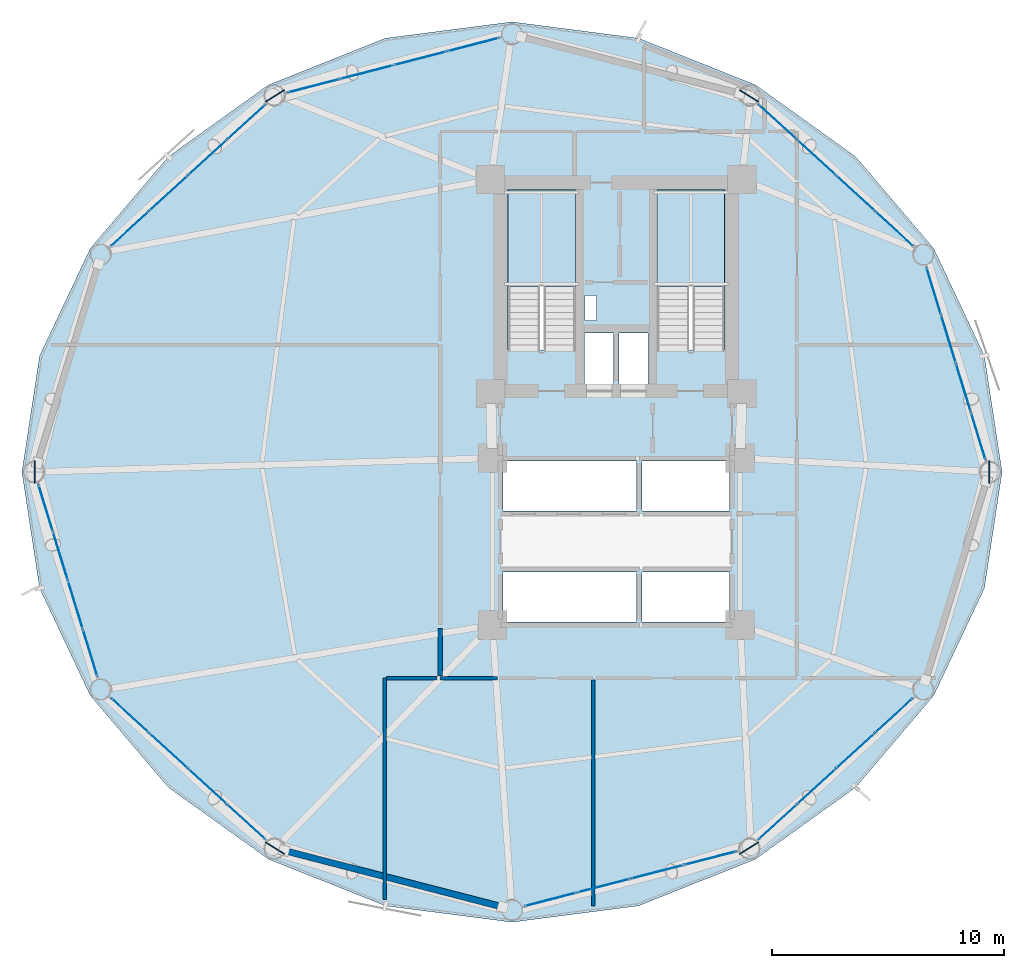
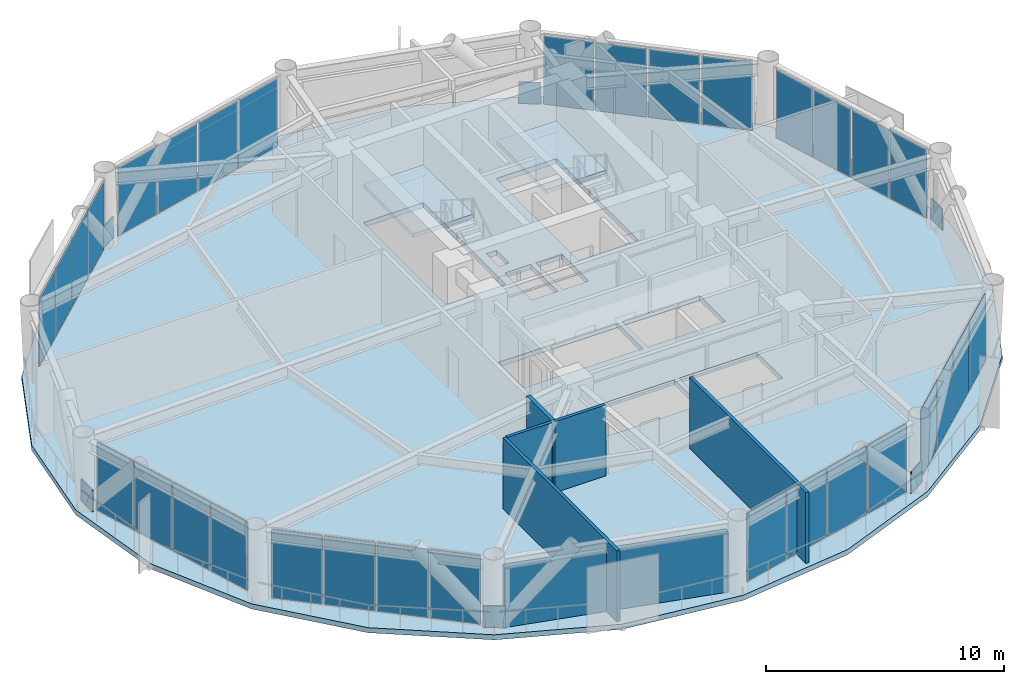
# One storey, part 20 of 25: 38 plates, 6 walls, 3 slabs, 10 elements without a shape of their own.
"""IFC4 building model written with IfcOpenShell, lengths in metres."""

import ifcopenshell
import ifcopenshell.guid

model = None  # the IFC model being written
_history = None  # IfcOwnerHistory: only IFC2X3 demands one
_inside = {}  # id of a spatial element -> (the spatial element, [elements in it])
_under = {}  # id of a project, library or spatial element -> (it, [spatial elements below it])
_declared = {}  # id of a project -> (the project, [libraries it declares])
_typed = {}  # id of a type object -> (the type object, [elements of that type])
_made_of = {}  # id of a material, layer set ... -> (it, [elements and type objects made of it])


def new_model(schema):
    """Start an empty IFC model of exactly this schema.

    Asked for "IFC4X3", IfcOpenShell would pick the latest addendum, in which some entities
    have other attributes; the version numbers below select the first issue.
    IFC2X3 requires an IfcOwnerHistory on every rooted entity: one is made here for all.
    """
    global model, _history
    if schema == "IFC4X3":
        model = ifcopenshell.file(schema_version=(4, 3, 0, 0))
    else:
        model = ifcopenshell.file(schema=schema)
    _inside.clear()
    _under.clear()
    _declared.clear()
    _typed.clear()
    _made_of.clear()
    _history = None
    if model.schema == "IFC2X3":
        org = make("IfcOrganization", Name="unknown")
        user = make(
            "IfcPersonAndOrganization",
            ThePerson=make("IfcPerson", FamilyName="unknown"),
            TheOrganization=org,
        )
        app = make(
            "IfcApplication",
            ApplicationDeveloper=org,
            Version="unknown",
            ApplicationFullName="unknown",
            ApplicationIdentifier="unknown",
        )
        _history = make(
            "IfcOwnerHistory",
            OwningUser=user,
            OwningApplication=app,
            ChangeAction="ADDED",
            CreationDate=0,
        )
    return model


def make(cls, **values):
    """One entity of the class cls with the attributes given. An attribute that is None is left unset."""
    return model.create_entity(
        cls, **{name: value for name, value in values.items() if value is not None}
    )


def rooted(cls, **values):
    """An entity with a GlobalId (a new one), such as an element, a storey or a relation."""
    return make(cls, GlobalId=ifcopenshell.guid.new(), OwnerHistory=_history, **values)


def si_unit(unit_type, name, prefix=None):
    """IfcSIUnit, for example si_unit("LENGTHUNIT", "METRE", prefix="MILLI")."""
    return make("IfcSIUnit", UnitType=unit_type, Prefix=prefix, Name=name)


def assignment(units):
    """IfcUnitAssignment: the units of a project."""
    return None if units is None else make("IfcUnitAssignment", Units=units)


def point(xyz):
    """IfcCartesianPoint."""
    return None if xyz is None else make("IfcCartesianPoint", Coordinates=xyz)


def direction(xyz):
    """IfcDirection."""
    return None if xyz is None else make("IfcDirection", DirectionRatios=xyz)


def frame(location, z_axis=None, x_axis=None):
    """IfcAxis2Placement3D, a coordinate frame: its origin and axes. An axis left out is left unset."""
    return make(
        "IfcAxis2Placement3D",
        Location=point(location),
        Axis=direction(z_axis),
        RefDirection=direction(x_axis),
    )


def frame_2d(location, x_axis=None):
    """IfcAxis2Placement2D, a coordinate frame in the plane: its origin and x axis."""
    return make(
        "IfcAxis2Placement2D", Location=point(location), RefDirection=direction(x_axis)
    )


def origin():
    """The frame at (0, 0, 0) with its axes left unset."""
    return frame((0.0, 0.0, 0.0))


def origin_2d():
    """The frame at (0, 0) in the plane with its x axis left unset."""
    return frame_2d((0.0, 0.0))


def place(relative_to, where):
    """IfcLocalPlacement: puts the frame where relative to a parent placement (None: the world)."""
    return make(
        "IfcLocalPlacement", PlacementRelTo=relative_to, RelativePlacement=where
    )


def context(
    kind, dimensions, precision=None, world=None, true_north=None, identifier=None
):
    """IfcGeometricRepresentationContext, for example the 3D "Model" context."""
    return make(
        "IfcGeometricRepresentationContext",
        ContextIdentifier=identifier,
        ContextType=kind,
        CoordinateSpaceDimension=dimensions,
        Precision=precision,
        WorldCoordinateSystem=world,
        TrueNorth=true_north,
    )


def subcontext(parent, identifier, kind, view, scale=None):
    """IfcGeometricRepresentationSubContext, for example "Body" below "Model"."""
    return make(
        "IfcGeometricRepresentationSubContext",
        ContextIdentifier=identifier,
        ContextType=kind,
        ParentContext=parent,
        TargetScale=scale,
        TargetView=view,
    )


def project(units=None, contexts=None):
    """IfcProject with its units and contexts."""
    return rooted(
        "IfcProject",
        Name="project",
        RepresentationContexts=contexts,
        UnitsInContext=assignment(units),
    )


def spatial(cls, under=None, at=None, **own):
    """A site, building, storey or space (cls), placed at a placement, below another one or the project."""
    s = rooted(cls, ObjectPlacement=at, **own)
    if under is not None:
        _under.setdefault(under.id(), (under, []))[1].append(s)
    return s


def polyline(points):
    """IfcPolyline through the points."""
    return make("IfcPolyline", Points=[point(p) for p in points])


def profile(cls, at=None, kind="AREA", **sizes):
    """A parametric profile (cls). Its sizes go by their IFC names, for example OverallWidth=200.0."""
    return make(cls, ProfileType=kind, Position=at, **sizes)


def rectangle(**sizes):
    """IfcRectangleProfileDef."""
    return profile("IfcRectangleProfileDef", **sizes)


def outline(outer, holes=None, kind="AREA"):
    """IfcArbitraryClosedProfileDef: a profile drawn as a closed curve; with holes, ...WithVoids."""
    if holes is None:
        return make("IfcArbitraryClosedProfileDef", ProfileType=kind, OuterCurve=outer)
    return make(
        "IfcArbitraryProfileDefWithVoids",
        ProfileType=kind,
        OuterCurve=outer,
        InnerCurves=holes,
    )


def extrude(swept, where, along, depth):
    """IfcExtrudedAreaSolid: the profile swept, set in the frame where, extruded along a direction by depth."""
    return make(
        "IfcExtrudedAreaSolid",
        SweptArea=swept,
        Position=where,
        ExtrudedDirection=direction(along),
        Depth=depth,
    )


def shape(context_of_items, identifier, shape_type, items):
    """IfcShapeRepresentation: the items that make up one representation, for example the "Body"."""
    return make(
        "IfcShapeRepresentation",
        ContextOfItems=context_of_items,
        RepresentationIdentifier=identifier,
        RepresentationType=shape_type,
        Items=items,
    )


def source(mapping_origin, context_of_items, identifier, shape_type, items):
    """IfcRepresentationMap: a shape defined once, which mapped items show again and again."""
    return make(
        "IfcRepresentationMap",
        MappingOrigin=mapping_origin,
        MappedRepresentation=shape(context_of_items, identifier, shape_type, items),
    )


def transform(
    local_origin,
    x_axis=None,
    y_axis=None,
    z_axis=None,
    scale=None,
    scale2=None,
    scale3=None,
    uniform=True,
):
    """IfcCartesianTransformationOperator3D, or its non-uniform kind. x_axis, y_axis, z_axis: its Axis1, 2, 3."""
    if uniform:
        return make(
            "IfcCartesianTransformationOperator3D",
            Axis1=direction(x_axis),
            Axis2=direction(y_axis),
            LocalOrigin=point(local_origin),
            Scale=scale,
            Axis3=direction(z_axis),
        )
    return make(
        "IfcCartesianTransformationOperator3DnonUniform",
        Axis1=direction(x_axis),
        Axis2=direction(y_axis),
        LocalOrigin=point(local_origin),
        Scale=scale,
        Axis3=direction(z_axis),
        Scale2=scale2,
        Scale3=scale3,
    )


def mapped(mapping_source, mapping_target):
    """IfcMappedItem: shows the shape of a source again, moved by a transform."""
    return make(
        "IfcMappedItem", MappingSource=mapping_source, MappingTarget=mapping_target
    )


def material(Name=None, Category=None):
    """IfcMaterial."""
    return make("IfcMaterial", Name=Name, Category=Category)


def layer(
    of_material, thickness, ventilated=None, Name=None, Category=None, Priority=None
):
    """IfcMaterialLayer: one layer of a wall or slab, of a material (None: an air gap)."""
    return make(
        "IfcMaterialLayer",
        Material=of_material,
        LayerThickness=thickness,
        IsVentilated=ventilated,
        Name=Name,
        Category=Category,
        Priority=Priority,
    )


def layer_set(layers, Name=None):
    """IfcMaterialLayerSet."""
    return make("IfcMaterialLayerSet", MaterialLayers=layers, LayerSetName=Name)


def made_of(thing, what):
    """Note that an element or type object is made of a material, layer set ...; save() writes the relation."""
    if what is not None:
        _made_of.setdefault(what.id(), (what, []))[1].append(thing)
    return thing


def type_object(cls, material=None, **own):
    """A type object (cls), such as IfcWallType, which elements share."""
    return made_of(rooted(cls, **own), material)


def type_shapes(of_type, sources):
    """Give a type object the sources (RepresentationMaps) that its elements show as mapped items."""
    of_type.RepresentationMaps = sources


def element(
    cls,
    number,
    at=None,
    inside=None,
    cuts=None,
    type_object=None,
    material=None,
    context=None,
    identifier="Body",
    shape_type=None,
    held_by="IfcProductDefinitionShape",
    body=None,
    shapes=None,
    **own,
):
    """One element of the class cls, such as IfcWall. Its Tag is "e" and its number.

    at: its placement. inside: the storey or other place that contains it. cuts: it is an
    opening in that element (IfcRelVoidsElement). A single representation is given by context,
    identifier, shape_type and body (its items); several are given by shapes. held_by: the class
    of the entity that holds the representations. save() writes the other relations.
    """
    e = rooted(cls, Tag="e%d" % number, ObjectPlacement=at, **own)
    if body is not None:
        shapes = [shape(context, identifier, shape_type, body)]
    if shapes is not None:
        e.Representation = make(held_by, Representations=shapes)
    if inside is not None:
        _inside.setdefault(inside.id(), (inside, []))[1].append(e)
    if cuts is not None:
        rooted(
            "IfcRelVoidsElement", RelatingBuildingElement=cuts, RelatedOpeningElement=e
        )
    if type_object is not None:
        _typed.setdefault(type_object.id(), (type_object, []))[1].append(e)
    return made_of(e, material)


def aggregate(whole, parts):
    """IfcRelAggregates: a whole, such as a stair, and the parts it consists of."""
    return rooted("IfcRelAggregates", RelatingObject=whole, RelatedObjects=parts)


def save(model, path):
    """Write the relations noted so far, then the file.

    IfcRelAggregates (storeys below a building ...), IfcRelContainedInSpatialStructure (elements
    in a storey), IfcRelDefinesByType, IfcRelAssociatesMaterial and IfcRelDeclares: one each for
    every whole, place, type object, material and project.
    """
    for whole, parts in _under.values():
        aggregate(whole, parts)
    for where, things in _inside.values():
        rooted(
            "IfcRelContainedInSpatialStructure",
            RelatedElements=things,
            RelatingStructure=where,
        )
    for kind, things in _typed.values():
        rooted("IfcRelDefinesByType", RelatedObjects=things, RelatingType=kind)
    for what, things in _made_of.values():
        rooted("IfcRelAssociatesMaterial", RelatedObjects=things, RelatingMaterial=what)
    for by, libraries in _declared.values():
        rooted("IfcRelDeclares", RelatingContext=by, RelatedDefinitions=libraries)
    model.write(path)


model = new_model("IFC4")

# Units and contexts
model_context = context("Model", 3, precision=1e-05, world=origin(), true_north=direction((0.0, 1.0)))
body_context = subcontext(model_context, "Body", "Model", "MODEL_VIEW")
ifc_project = project(units=[si_unit("LENGTHUNIT", "METRE"), si_unit("AREAUNIT", "SQUARE_METRE"), si_unit("VOLUMEUNIT", "CUBIC_METRE"), si_unit("PLANEANGLEUNIT", "RADIAN"), si_unit("MASSUNIT", "GRAM", prefix="KILO")], contexts=[model_context])

# Site, building, storey
site_placement = place(None, origin())
site = spatial("IfcSite", under=ifc_project, at=site_placement, CompositionType="ELEMENT")
building_placement = place(site_placement, origin())
building = spatial("IfcBuilding", under=site, at=building_placement, Name="Varnakorn Sky Granary", CompositionType="ELEMENT")
storey_placement = place(building_placement, frame((0.0, 0.0, 39.300048828125)))
storey = spatial("IfcBuildingStorey", under=building, at=storey_placement, Name="L09", CompositionType="ELEMENT", Elevation=39.300048828125)

# Plates
ifc_material_1 = material(Name="Steel S460M", Category="steel")
ifc_layer_1 = layer(ifc_material_1, 0.044921875, Name="Steel S460M")
ifc_layer_set_1 = layer_set([ifc_layer_1], Name="Steel S460M")
plate_type_1 = type_object("IfcPlateType", Name="PL-NODE-KN1", PredefinedType="SHEET", material=ifc_layer_set_1)
for number, where, z_axis, x_axis, name in (
    (1, (19.10595703125, 0.0, 0.0), (0.0, 0.0, 1.0), (0.0, 1.0, 0.0), "Diagrid Node Gusset Assembly KN1 L09-1"),
    (2, (8.735595703125, 16.236083984375, 0.0), (0.0, 0.0, 1.0), (-0.845934186854, 0.533287306723, 0.0), "Diagrid Node Gusset Assembly KN1 L09-3"),
    (3, (-11.735595703125, 16.236083984375, 0.0), (0.0, 0.0, 1.0), (-0.845934186854, -0.533287306723, 0.0), "Diagrid Node Gusset Assembly KN1 L09-5"),
    (4, (-22.10595703125, 0.0, 0.0), (0.0, 0.0, 1.0), (0.0, -1.0, 0.0), "Diagrid Node Gusset Assembly KN1 L09-7"),
    (5, (-11.735595703125, -16.236083984375, 0.0), (0.0, 0.0, 1.0), (0.845934186854, -0.533287306723, 0.0), "Diagrid Node Gusset Assembly KN1 L09-9"),
    (6, (8.735595703125, -16.236083984375, 0.0), (0.0, 0.0, 1.0), (0.845934186854, 0.533287306723, 0.0), "Diagrid Node Gusset Assembly KN1 L09-11"),
):
    element("IfcPlate", number, at=place(storey_placement, frame(where, z_axis=z_axis, x_axis=x_axis)), inside=storey, type_object=plate_type_1, Name=name, PredefinedType="SHEET", context=body_context, shape_type="SweptSolid", body=[
        extrude(rectangle(XDim=0.9599609375, YDim=0.044921875, at=origin_2d()), origin(), (0.0, 0.0, 1.0), 1.10009765625),
    ])

# Stair, slab
ifc_material_2 = material(Name="Concrete C40/50", Category="concrete")
stair_type = type_object("IfcStairType", Name="ST-MAIN-ASSEMBLY", PredefinedType="HALF_TURN_STAIR", material=ifc_material_2)
stair_1_placement = place(storey_placement, origin())
stair_1 = element("IfcStair", 7, at=stair_1_placement, inside=storey, type_object=stair_type, Name="L09 Protected Exit Stair ST-1", PredefinedType="HALF_TURN_STAIR")
ifc_layer_2 = layer(ifc_material_2, 0.199951171875, Name="Concrete C40/50")
ifc_layer_set_2 = layer_set([ifc_layer_2], Name="Concrete C40/50")
slab_type_1 = type_object("IfcSlabType", Name="ST-MAIN-LAND", PredefinedType="LANDING", material=ifc_layer_set_2)
slab_1_placement = place(storey_placement, frame((0.0, 0.0, 1.75)))
slab_1 = element("IfcSlab", 8, at=slab_1_placement, type_object=slab_type_1, Name="ST-1 landing 1", PredefinedType="LANDING", context=body_context, shape_type="SweptSolid", body=[
    extrude(outline(polyline([(1.239990234375, 8.0), (1.239990234375, 12.179931640625), (-1.669921875, 12.179931640625), (-1.669921875, 8.0), (1.239990234375, 8.0)])), origin(), (0.0, 0.0, 1.0), 0.199951171875),
])
aggregate(stair_1, [slab_1])

stair_2_placement = place(storey_placement, origin())
stair_2 = element("IfcStair", 9, at=stair_2_placement, inside=storey, type_object=stair_type, Name="L09 Protected Exit Stair ST-2", PredefinedType="HALF_TURN_STAIR")
slab_2_placement = place(storey_placement, frame((0.0, 0.0, 1.75)))
slab_2 = element("IfcSlab", 10, at=slab_2_placement, type_object=slab_type_1, Name="ST-2 landing 1", PredefinedType="LANDING", context=body_context, shape_type="SweptSolid", body=[
    extrude(outline(polyline([(7.679931640625, 8.0), (7.679931640625, 12.179931640625), (4.77001953125, 12.179931640625), (4.77001953125, 8.0), (7.679931640625, 8.0)])), origin(), (0.0, 0.0, 1.0), 0.199951171875),
])
aggregate(stair_2, [slab_2])

# Slab
ifc_material_3 = material(Name="Concrete C50/60", Category="concrete")
ifc_layer_3 = layer(ifc_material_3, 0.260009765625, Name="Concrete C50/60")
ifc_layer_set_3 = layer_set([ifc_layer_3], Name="Concrete C50/60")
slab_type_2 = type_object("IfcSlabType", Name="ST-SL-TWR-260", PredefinedType="FLOOR", material=ifc_layer_set_3)
slab_3_placement = place(storey_placement, frame((0.0, 0.0, -0.260009765625)))
element("IfcSlab", 11, at=slab_3_placement, inside=storey, type_object=slab_type_2, Name="Level L09 Structural Floor Slab", PredefinedType="FLOOR", context=body_context, shape_type="SweptSolid", body=[
    extrude(outline(polyline([(19.656005859375, 0.0), (18.8916015625, 5.01806640625), (16.70458984375, 9.64892578125), (13.332275390625, 13.614013671875), (9.010498046875, 16.712646484375), (3.9638671875, 18.727294921875), (-1.5, 19.43310546875), (-6.9638671875, 18.727294921875), (-12.010498046875, 16.712646484375), (-16.332275390625, 13.614013671875), (-19.70458984375, 9.64892578125), (-21.8916015625, 5.01806640625), (-22.656005859375, 0.0), (-21.8916015625, -5.01806640625), (-19.70458984375, -9.64892578125), (-16.332275390625, -13.614013671875), (-12.010498046875, -16.712646484375), (-6.9638671875, -18.727294921875), (-1.5, -19.43310546875), (3.9638671875, -18.727294921875), (9.010498046875, -16.712646484375), (13.332275390625, -13.614013671875), (16.70458984375, -9.64892578125), (18.8916015625, -5.01806640625), (19.656005859375, 0.0)]), holes=[polyline([(1.239990234375, 5.27490234375), (1.239990234375, 12.179931640625), (-1.669921875, 12.179931640625), (-1.669921875, 5.27490234375), (1.239990234375, 5.27490234375)]), polyline([(7.679931640625, 5.27490234375), (7.679931640625, 12.179931640625), (4.77001953125, 12.179931640625), (4.77001953125, 5.27490234375), (7.679931640625, 5.27490234375)]), polyline([(1.659912109375, 6.550048828125), (2.14990234375, 6.550048828125), (2.14990234375, 7.6201171875), (1.659912109375, 7.6201171875), (1.659912109375, 6.550048828125)]), polyline([(1.6201171875, 3.739990234375), (2.8798828125, 3.739990234375), (2.8798828125, 6.010009765625), (1.6201171875, 6.010009765625), (1.6201171875, 3.739990234375)]), polyline([(3.1201171875, 3.739990234375), (4.3798828125, 3.739990234375), (4.3798828125, 6.010009765625), (3.1201171875, 6.010009765625), (3.1201171875, 3.739990234375)]), polyline([(-1.8798828125, -1.679931640625), (3.8798828125, -1.679931640625), (3.8798828125, 0.47998046875), (-1.8798828125, 0.47998046875), (-1.8798828125, -1.679931640625)]), polyline([(4.1201171875, -1.679931640625), (7.8798828125, -1.679931640625), (7.8798828125, 0.47998046875), (4.1201171875, 0.47998046875), (4.1201171875, -1.679931640625)]), polyline([(-1.8798828125, -6.47998046875), (3.8798828125, -6.47998046875), (3.8798828125, -4.320068359375), (-1.8798828125, -4.320068359375), (-1.8798828125, -6.47998046875)]), polyline([(4.1201171875, -6.47998046875), (7.8798828125, -6.47998046875), (7.8798828125, -4.320068359375), (4.1201171875, -4.320068359375), (4.1201171875, -6.47998046875)])]), origin(), (0.0, 0.0, 1.0), 0.260009765625),
])

# Curtain wall, plates
ifc_material_4 = material(Name="Anodised Bronze Aluminium Alloy 6063-T6", Category="aluminium")
ifc_layer_4 = layer(ifc_material_4, 0.18994140625, Name="Anodised Bronze Aluminium Alloy 6063-T6")
ifc_layer_set_4 = layer_set([ifc_layer_4], Name="Anodised Bronze Aluminium Alloy 6063-T6")
curtain_wall_type = type_object("IfcCurtainWallType", Name="CW-FRM-1", PredefinedType="USERDEFINED", material=ifc_layer_set_4)
curtain_wall_1_placement = place(storey_placement, origin())
curtain_wall_1 = element("IfcCurtainWall", 12, at=curtain_wall_1_placement, inside=storey, type_object=curtain_wall_type, Name="Unitised Curtain Wall CW3 CW-L09-B01", ObjectType="CURTAIN WALL", PredefinedType="USERDEFINED")
ifc_material_5 = material(Name="Low-E Tinted Laminated Glass", Category="glass")
ifc_layer_5 = layer(ifc_material_5, 0.028076171875, Name="Low-E Tinted Laminated Glass")
ifc_layer_set_5 = layer_set([ifc_layer_5], Name="Low-E Tinted Laminated Glass")
plate_type_2 = type_object("IfcPlateType", Name="CW-FRM-1-PNL", PredefinedType="CURTAIN_PANEL")
shared_shape_1 = source(origin(), body_context, "Body", "SweptSolid", [
    extrude(rectangle(XDim=2.087890625, YDim=0.028076171875, at=origin_2d()), origin(), (0.0, 0.0, 1.0), 3.5),
])
plate_1_placement = place(storey_placement, frame((16.70703125, 7.81494140625, 0.070068359375), z_axis=(0.0, 0.0, 1.0), x_axis=(0.293462537291, -0.955970574446, 0.0)))
plate_1 = element("IfcPlate", 13, at=plate_1_placement, type_object=plate_type_2, material=ifc_layer_set_5, Name="CW3 vision glazing unit 1.1", PredefinedType="CURTAIN_PANEL", context=body_context, shape_type="MappedRepresentation", body=[
    mapped(shared_shape_1, transform((0.0, 0.0, 0.0), x_axis=(1.0, 0.0, 0.0), y_axis=(0.0, 1.0, 0.0), z_axis=(0.0, 0.0, 1.0), scale=1.0)),
])
ifc_material_6 = material(Name="Opaque Insulated Aluminium Shadow-Box Unit", Category="aluminium")
ifc_layer_6 = layer(ifc_material_6, 0.028076171875, Name="Opaque Insulated Aluminium Shadow-Box Unit")
ifc_layer_set_6 = layer_set([ifc_layer_6], Name="Opaque Insulated Aluminium Shadow-Box Unit")
plate_2_placement = place(storey_placement, frame((18.62744140625, 1.55908203125, 0.070068359375), z_axis=(0.0, 0.0, 1.0), x_axis=(0.293462537291, -0.955970574446, 0.0)))
plate_2 = element("IfcPlate", 14, at=plate_2_placement, type_object=plate_type_2, material=ifc_layer_set_6, Name="CW3 opaque insulated shadow-box unit 4.1", PredefinedType="CURTAIN_PANEL", context=body_context, shape_type="MappedRepresentation", body=[
    mapped(shared_shape_1, transform((0.0, 0.0, 0.0), x_axis=(1.0, 0.0, 0.0), y_axis=(0.0, 1.0, 0.0), z_axis=(0.0, 0.0, 1.0), scale=1.0)),
])

curtain_wall_2_placement = place(storey_placement, origin())
curtain_wall_2 = element("IfcCurtainWall", 15, at=curtain_wall_2_placement, inside=storey, type_object=curtain_wall_type, Name="Unitised Curtain Wall CW3 CW-L09-B07", ObjectType="CURTAIN WALL", PredefinedType="USERDEFINED")
plate_3_placement = place(storey_placement, frame((-19.70703125, -7.81494140625, 0.070068359375), z_axis=(0.0, 0.0, 1.0), x_axis=(-0.293462537291, 0.955970574446, 0.0)))
plate_3 = element("IfcPlate", 16, at=plate_3_placement, type_object=plate_type_2, material=ifc_layer_set_5, Name="CW3 vision glazing unit 1.1", PredefinedType="CURTAIN_PANEL", context=body_context, shape_type="MappedRepresentation", body=[
    mapped(shared_shape_1, transform((0.0, 0.0, 0.0), x_axis=(1.0, 0.0, 0.0), y_axis=(0.0, 1.0, 0.0), z_axis=(0.0, 0.0, 1.0), scale=1.0)),
])
plate_4_placement = place(storey_placement, frame((-21.62744140625, -1.55908203125, 0.070068359375), z_axis=(0.0, 0.0, 1.0), x_axis=(-0.293462537291, 0.955970574446, 0.0)))
plate_4 = element("IfcPlate", 17, at=plate_4_placement, type_object=plate_type_2, material=ifc_layer_set_6, Name="CW3 opaque insulated shadow-box unit 4.1", PredefinedType="CURTAIN_PANEL", context=body_context, shape_type="MappedRepresentation", body=[
    mapped(shared_shape_1, transform((0.0, 0.0, 0.0), x_axis=(1.0, 0.0, 0.0), y_axis=(0.0, 1.0, 0.0), z_axis=(0.0, 0.0, 1.0), scale=1.0)),
])

# Plate
shared_shape_2 = source(origin(), body_context, "Body", "SweptSolid", [
    extrude(rectangle(XDim=2.123046875, YDim=0.028076171875, at=origin_2d()), origin(), (0.0, 0.0, 1.0), 3.5),
])
plate_5_placement = place(storey_placement, frame((17.345458984375, 5.735107421875, 0.070068359375), z_axis=(0.0, 0.0, 1.0), x_axis=(0.293462537291, -0.955970574446, 0.0)))
plate_5 = element("IfcPlate", 18, at=plate_5_placement, type_object=plate_type_2, material=ifc_layer_set_5, Name="CW3 vision glazing unit 2.1", PredefinedType="CURTAIN_PANEL", context=body_context, shape_type="MappedRepresentation", body=[
    mapped(shared_shape_2, transform((0.0, 0.0, 0.0), x_axis=(1.0, 0.0, 0.0), y_axis=(0.0, 1.0, 0.0), z_axis=(0.0, 0.0, 1.0), scale=1.0)),
])

plate_6_placement = place(storey_placement, frame((17.989013671875, 3.638916015625, 0.070068359375), z_axis=(0.0, 0.0, 1.0), x_axis=(0.293462537291, -0.955970574446, 0.0)))
plate_6 = element("IfcPlate", 19, at=plate_6_placement, type_object=plate_type_2, material=ifc_layer_set_6, Name="CW3 opaque insulated shadow-box unit 3.1", PredefinedType="CURTAIN_PANEL", context=body_context, shape_type="MappedRepresentation", body=[
    mapped(shared_shape_2, transform((0.0, 0.0, 0.0), x_axis=(1.0, 0.0, 0.0), y_axis=(0.0, 1.0, 0.0), z_axis=(0.0, 0.0, 1.0), scale=1.0)),
])

aggregate(curtain_wall_1, [plate_1, plate_5, plate_6, plate_2])

plate_7_placement = place(storey_placement, frame((-20.345458984375, -5.735107421875, 0.070068359375), z_axis=(0.0, 0.0, 1.0), x_axis=(-0.293462537291, 0.955970574446, 0.0)))
plate_7 = element("IfcPlate", 20, at=plate_7_placement, type_object=plate_type_2, material=ifc_layer_set_5, Name="CW3 vision glazing unit 2.1", PredefinedType="CURTAIN_PANEL", context=body_context, shape_type="MappedRepresentation", body=[
    mapped(shared_shape_2, transform((0.0, 0.0, 0.0), x_axis=(1.0, 0.0, 0.0), y_axis=(0.0, 1.0, 0.0), z_axis=(0.0, 0.0, 1.0), scale=1.0)),
])

plate_8_placement = place(storey_placement, frame((-20.989013671875, -3.638916015625, 0.070068359375), z_axis=(0.0, 0.0, 1.0), x_axis=(-0.293462537291, 0.955970574446, 0.0)))
plate_8 = element("IfcPlate", 21, at=plate_8_placement, type_object=plate_type_2, material=ifc_layer_set_6, Name="CW3 opaque insulated shadow-box unit 3.1", PredefinedType="CURTAIN_PANEL", context=body_context, shape_type="MappedRepresentation", body=[
    mapped(shared_shape_2, transform((0.0, 0.0, 0.0), x_axis=(1.0, 0.0, 0.0), y_axis=(0.0, 1.0, 0.0), z_axis=(0.0, 0.0, 1.0), scale=1.0)),
])

aggregate(curtain_wall_2, [plate_3, plate_7, plate_8, plate_4])

# Curtain wall, plates
curtain_wall_3_placement = place(storey_placement, origin())
curtain_wall_3 = element("IfcCurtainWall", 22, at=curtain_wall_3_placement, inside=storey, type_object=curtain_wall_type, Name="Unitised Curtain Wall CW3 CW-L09-B02", ObjectType="CURTAIN WALL", PredefinedType="USERDEFINED")
shared_shape_3 = source(origin(), body_context, "Body", "SweptSolid", [
    extrude(rectangle(XDim=2.176513671875, YDim=0.028076171875, at=origin_2d()), origin(), (0.0, 0.0, 1.0), 3.5),
])
plate_9_placement = place(storey_placement, frame((9.970947265625, 15.104736328125, 0.070068359375), z_axis=(0.0, 0.0, 1.0), x_axis=(0.73746198565, -0.675388643465, 0.0)))
plate_9 = element("IfcPlate", 23, at=plate_9_placement, type_object=plate_type_2, material=ifc_layer_set_6, Name="CW3 opaque insulated shadow-box unit 1.1", PredefinedType="CURTAIN_PANEL", context=body_context, shape_type="MappedRepresentation", body=[
    mapped(shared_shape_3, transform((0.0, 0.0, 0.0), x_axis=(1.0, 0.0, 0.0), y_axis=(0.0, 1.0, 0.0), z_axis=(0.0, 0.0, 1.0), scale=1.0)),
])
plate_10_placement = place(storey_placement, frame((14.992919921875, 10.505615234375, 0.070068359375), z_axis=(0.0, 0.0, 1.0), x_axis=(0.73746198565, -0.675388643465, 0.0)))
plate_10 = element("IfcPlate", 24, at=plate_10_placement, type_object=plate_type_2, material=ifc_layer_set_5, Name="CW3 vision glazing unit 4.1", PredefinedType="CURTAIN_PANEL", context=body_context, shape_type="MappedRepresentation", body=[
    mapped(shared_shape_3, transform((0.0, 0.0, 0.0), x_axis=(1.0, 0.0, 0.0), y_axis=(0.0, 1.0, 0.0), z_axis=(0.0, 0.0, 1.0), scale=1.0)),
])

curtain_wall_4_placement = place(storey_placement, origin())
curtain_wall_4 = element("IfcCurtainWall", 25, at=curtain_wall_4_placement, inside=storey, type_object=curtain_wall_type, Name="Unitised Curtain Wall CW3 CW-L09-B05", ObjectType="CURTAIN WALL", PredefinedType="USERDEFINED")
plate_11_placement = place(storey_placement, frame((-17.992919921875, 10.505615234375, 0.070068359375), z_axis=(0.0, 0.0, 1.0), x_axis=(0.73746198565, 0.675388643465, 0.0)))
plate_11 = element("IfcPlate", 26, at=plate_11_placement, type_object=plate_type_2, material=ifc_layer_set_5, Name="CW3 vision glazing unit 1.1", PredefinedType="CURTAIN_PANEL", context=body_context, shape_type="MappedRepresentation", body=[
    mapped(shared_shape_3, transform((0.0, 0.0, 0.0), x_axis=(1.0, 0.0, 0.0), y_axis=(0.0, 1.0, 0.0), z_axis=(0.0, 0.0, 1.0), scale=1.0)),
])
plate_12_placement = place(storey_placement, frame((-12.970947265625, 15.104736328125, 0.070068359375), z_axis=(0.0, 0.0, 1.0), x_axis=(0.73746198565, 0.675388643465, 0.0)))
plate_12 = element("IfcPlate", 27, at=plate_12_placement, type_object=plate_type_2, material=ifc_layer_set_6, Name="CW3 opaque insulated shadow-box unit 4.1", PredefinedType="CURTAIN_PANEL", context=body_context, shape_type="MappedRepresentation", body=[
    mapped(shared_shape_3, transform((0.0, 0.0, 0.0), x_axis=(1.0, 0.0, 0.0), y_axis=(0.0, 1.0, 0.0), z_axis=(0.0, 0.0, 1.0), scale=1.0)),
])

curtain_wall_5_placement = place(storey_placement, origin())
curtain_wall_5 = element("IfcCurtainWall", 28, at=curtain_wall_5_placement, inside=storey, type_object=curtain_wall_type, Name="Unitised Curtain Wall CW3 CW-L09-B08", ObjectType="CURTAIN WALL", PredefinedType="USERDEFINED")
plate_13_placement = place(storey_placement, frame((-12.970947265625, -15.104736328125, 0.070068359375), z_axis=(0.0, 0.0, 1.0), x_axis=(-0.73746198565, 0.675388643465, 0.0)))
plate_13 = element("IfcPlate", 29, at=plate_13_placement, type_object=plate_type_2, material=ifc_layer_set_6, Name="CW3 opaque insulated shadow-box unit 1.1", PredefinedType="CURTAIN_PANEL", context=body_context, shape_type="MappedRepresentation", body=[
    mapped(shared_shape_3, transform((0.0, 0.0, 0.0), x_axis=(1.0, 0.0, 0.0), y_axis=(0.0, 1.0, 0.0), z_axis=(0.0, 0.0, 1.0), scale=1.0)),
])
plate_14_placement = place(storey_placement, frame((-17.992919921875, -10.505615234375, 0.070068359375), z_axis=(0.0, 0.0, 1.0), x_axis=(-0.73746198565, 0.675388643465, 0.0)))
plate_14 = element("IfcPlate", 30, at=plate_14_placement, type_object=plate_type_2, material=ifc_layer_set_5, Name="CW3 vision glazing unit 4.1", PredefinedType="CURTAIN_PANEL", context=body_context, shape_type="MappedRepresentation", body=[
    mapped(shared_shape_3, transform((0.0, 0.0, 0.0), x_axis=(1.0, 0.0, 0.0), y_axis=(0.0, 1.0, 0.0), z_axis=(0.0, 0.0, 1.0), scale=1.0)),
])

curtain_wall_6_placement = place(storey_placement, origin())
curtain_wall_6 = element("IfcCurtainWall", 31, at=curtain_wall_6_placement, inside=storey, type_object=curtain_wall_type, Name="Unitised Curtain Wall CW3 CW-L09-B11", ObjectType="CURTAIN WALL", PredefinedType="USERDEFINED")
plate_15_placement = place(storey_placement, frame((14.992919921875, -10.505615234375, 0.070068359375), z_axis=(0.0, 0.0, 1.0), x_axis=(-0.73746198565, -0.675388643465, 0.0)))
plate_15 = element("IfcPlate", 32, at=plate_15_placement, type_object=plate_type_2, material=ifc_layer_set_5, Name="CW3 vision glazing unit 1.1", PredefinedType="CURTAIN_PANEL", context=body_context, shape_type="MappedRepresentation", body=[
    mapped(shared_shape_3, transform((0.0, 0.0, 0.0), x_axis=(1.0, 0.0, 0.0), y_axis=(0.0, 1.0, 0.0), z_axis=(0.0, 0.0, 1.0), scale=1.0)),
])
plate_16_placement = place(storey_placement, frame((9.970947265625, -15.104736328125, 0.070068359375), z_axis=(0.0, 0.0, 1.0), x_axis=(-0.73746198565, -0.675388643465, 0.0)))
plate_16 = element("IfcPlate", 33, at=plate_16_placement, type_object=plate_type_2, material=ifc_layer_set_6, Name="CW3 opaque insulated shadow-box unit 4.1", PredefinedType="CURTAIN_PANEL", context=body_context, shape_type="MappedRepresentation", body=[
    mapped(shared_shape_3, transform((0.0, 0.0, 0.0), x_axis=(1.0, 0.0, 0.0), y_axis=(0.0, 1.0, 0.0), z_axis=(0.0, 0.0, 1.0), scale=1.0)),
])

# Plate
shared_shape_4 = source(origin(), body_context, "Body", "SweptSolid", [
    extrude(rectangle(XDim=2.211669921875, YDim=0.028076171875, at=origin_2d()), origin(), (0.0, 0.0, 1.0), 3.5),
])
plate_17_placement = place(storey_placement, frame((11.640625, 13.57568359375, 0.070068359375), z_axis=(0.0, 0.0, 1.0), x_axis=(0.73746198565, -0.675388643465, 0.0)))
plate_17 = element("IfcPlate", 34, at=plate_17_placement, type_object=plate_type_2, material=ifc_layer_set_6, Name="CW3 opaque insulated shadow-box unit 2.1", PredefinedType="CURTAIN_PANEL", context=body_context, shape_type="MappedRepresentation", body=[
    mapped(shared_shape_4, transform((0.0, 0.0, 0.0), x_axis=(1.0, 0.0, 0.0), y_axis=(0.0, 1.0, 0.0), z_axis=(0.0, 0.0, 1.0), scale=1.0)),
])

plate_18_placement = place(storey_placement, frame((13.3232421875, 12.03466796875, 0.070068359375), z_axis=(0.0, 0.0, 1.0), x_axis=(0.73746198565, -0.675388643465, 0.0)))
plate_18 = element("IfcPlate", 35, at=plate_18_placement, type_object=plate_type_2, material=ifc_layer_set_5, Name="CW3 vision glazing unit 3.1", PredefinedType="CURTAIN_PANEL", context=body_context, shape_type="MappedRepresentation", body=[
    mapped(shared_shape_4, transform((0.0, 0.0, 0.0), x_axis=(1.0, 0.0, 0.0), y_axis=(0.0, 1.0, 0.0), z_axis=(0.0, 0.0, 1.0), scale=1.0)),
])

aggregate(curtain_wall_3, [plate_9, plate_17, plate_18, plate_10])

plate_19_placement = place(storey_placement, frame((-16.3232421875, 12.03466796875, 0.070068359375), z_axis=(0.0, 0.0, 1.0), x_axis=(0.73746198565, 0.675388643465, 0.0)))
plate_19 = element("IfcPlate", 36, at=plate_19_placement, type_object=plate_type_2, material=ifc_layer_set_5, Name="CW3 vision glazing unit 2.1", PredefinedType="CURTAIN_PANEL", context=body_context, shape_type="MappedRepresentation", body=[
    mapped(shared_shape_4, transform((0.0, 0.0, 0.0), x_axis=(1.0, 0.0, 0.0), y_axis=(0.0, 1.0, 0.0), z_axis=(0.0, 0.0, 1.0), scale=1.0)),
])

plate_20_placement = place(storey_placement, frame((-14.640625, 13.57568359375, 0.070068359375), z_axis=(0.0, 0.0, 1.0), x_axis=(0.73746198565, 0.675388643465, 0.0)))
plate_20 = element("IfcPlate", 37, at=plate_20_placement, type_object=plate_type_2, material=ifc_layer_set_6, Name="CW3 opaque insulated shadow-box unit 3.1", PredefinedType="CURTAIN_PANEL", context=body_context, shape_type="MappedRepresentation", body=[
    mapped(shared_shape_4, transform((0.0, 0.0, 0.0), x_axis=(1.0, 0.0, 0.0), y_axis=(0.0, 1.0, 0.0), z_axis=(0.0, 0.0, 1.0), scale=1.0)),
])

aggregate(curtain_wall_4, [plate_11, plate_19, plate_20, plate_12])

plate_21_placement = place(storey_placement, frame((-14.640625, -13.57568359375, 0.070068359375), z_axis=(0.0, 0.0, 1.0), x_axis=(-0.73746198565, 0.675388643465, 0.0)))
plate_21 = element("IfcPlate", 38, at=plate_21_placement, type_object=plate_type_2, material=ifc_layer_set_6, Name="CW3 opaque insulated shadow-box unit 2.1", PredefinedType="CURTAIN_PANEL", context=body_context, shape_type="MappedRepresentation", body=[
    mapped(shared_shape_4, transform((0.0, 0.0, 0.0), x_axis=(1.0, 0.0, 0.0), y_axis=(0.0, 1.0, 0.0), z_axis=(0.0, 0.0, 1.0), scale=1.0)),
])

plate_22_placement = place(storey_placement, frame((-16.3232421875, -12.03466796875, 0.070068359375), z_axis=(0.0, 0.0, 1.0), x_axis=(-0.73746198565, 0.675388643465, 0.0)))
plate_22 = element("IfcPlate", 39, at=plate_22_placement, type_object=plate_type_2, material=ifc_layer_set_5, Name="CW3 vision glazing unit 3.1", PredefinedType="CURTAIN_PANEL", context=body_context, shape_type="MappedRepresentation", body=[
    mapped(shared_shape_4, transform((0.0, 0.0, 0.0), x_axis=(1.0, 0.0, 0.0), y_axis=(0.0, 1.0, 0.0), z_axis=(0.0, 0.0, 1.0), scale=1.0)),
])

aggregate(curtain_wall_5, [plate_13, plate_21, plate_22, plate_14])

plate_23_placement = place(storey_placement, frame((13.3232421875, -12.03466796875, 0.070068359375), z_axis=(0.0, 0.0, 1.0), x_axis=(-0.73746198565, -0.675388643465, 0.0)))
plate_23 = element("IfcPlate", 40, at=plate_23_placement, type_object=plate_type_2, material=ifc_layer_set_5, Name="CW3 vision glazing unit 2.1", PredefinedType="CURTAIN_PANEL", context=body_context, shape_type="MappedRepresentation", body=[
    mapped(shared_shape_4, transform((0.0, 0.0, 0.0), x_axis=(1.0, 0.0, 0.0), y_axis=(0.0, 1.0, 0.0), z_axis=(0.0, 0.0, 1.0), scale=1.0)),
])

plate_24_placement = place(storey_placement, frame((11.640625, -13.57568359375, 0.070068359375), z_axis=(0.0, 0.0, 1.0), x_axis=(-0.73746198565, -0.675388643465, 0.0)))
plate_24 = element("IfcPlate", 41, at=plate_24_placement, type_object=plate_type_2, material=ifc_layer_set_6, Name="CW3 opaque insulated shadow-box unit 3.1", PredefinedType="CURTAIN_PANEL", context=body_context, shape_type="MappedRepresentation", body=[
    mapped(shared_shape_4, transform((0.0, 0.0, 0.0), x_axis=(1.0, 0.0, 0.0), y_axis=(0.0, 1.0, 0.0), z_axis=(0.0, 0.0, 1.0), scale=1.0)),
])

aggregate(curtain_wall_6, [plate_15, plate_23, plate_24, plate_16])

# Curtain wall, plates
curtain_wall_7_placement = place(storey_placement, origin())
curtain_wall_7 = element("IfcCurtainWall", 42, at=curtain_wall_7_placement, inside=storey, type_object=curtain_wall_type, Name="Unitised Curtain Wall CW3 CW-L09-B04", ObjectType="CURTAIN WALL", PredefinedType="USERDEFINED")
shared_shape_5 = source(origin(), body_context, "Body", "SweptSolid", [
    extrude(rectangle(XDim=2.279541015625, YDim=0.028076171875, at=origin_2d()), origin(), (0.0, 0.0, 1.0), 3.5),
])
plate_25_placement = place(storey_placement, frame((-10.063720703125, 16.66845703125, 0.070068359375), z_axis=(0.0, 0.0, 1.0), x_axis=(0.968152826713, 0.250359949128, 0.0)))
plate_25 = element("IfcPlate", 43, at=plate_25_placement, type_object=plate_type_2, material=ifc_layer_set_6, Name="CW3 opaque insulated shadow-box unit 1.1", PredefinedType="CURTAIN_PANEL", context=body_context, shape_type="MappedRepresentation", body=[
    mapped(shared_shape_5, transform((0.0, 0.0, 0.0), x_axis=(1.0, 0.0, 0.0), y_axis=(0.0, 1.0, 0.0), z_axis=(0.0, 0.0, 1.0), scale=1.0)),
])
plate_26_placement = place(storey_placement, frame((-3.171875, 18.45068359375, 0.070068359375), z_axis=(0.0, 0.0, 1.0), x_axis=(0.968152826713, 0.250359949128, 0.0)))
plate_26 = element("IfcPlate", 44, at=plate_26_placement, type_object=plate_type_2, material=ifc_layer_set_5, Name="CW3 vision glazing unit 4.1", PredefinedType="CURTAIN_PANEL", context=body_context, shape_type="MappedRepresentation", body=[
    mapped(shared_shape_5, transform((0.0, 0.0, 0.0), x_axis=(1.0, 0.0, 0.0), y_axis=(0.0, 1.0, 0.0), z_axis=(0.0, 0.0, 1.0), scale=1.0)),
])

curtain_wall_8_placement = place(storey_placement, origin())
curtain_wall_8 = element("IfcCurtainWall", 45, at=curtain_wall_8_placement, inside=storey, type_object=curtain_wall_type, Name="Unitised Curtain Wall CW3 CW-L09-B10", ObjectType="CURTAIN WALL", PredefinedType="USERDEFINED")
plate_27_placement = place(storey_placement, frame((7.063720703125, -16.66845703125, 0.070068359375), z_axis=(0.0, 0.0, 1.0), x_axis=(-0.968152826713, -0.250359949128, 0.0)))
plate_27 = element("IfcPlate", 46, at=plate_27_placement, type_object=plate_type_2, material=ifc_layer_set_6, Name="CW3 opaque insulated shadow-box unit 1.1", PredefinedType="CURTAIN_PANEL", context=body_context, shape_type="MappedRepresentation", body=[
    mapped(shared_shape_5, transform((0.0, 0.0, 0.0), x_axis=(1.0, 0.0, 0.0), y_axis=(0.0, 1.0, 0.0), z_axis=(0.0, 0.0, 1.0), scale=1.0)),
])
plate_28_placement = place(storey_placement, frame((0.171875, -18.45068359375, 0.070068359375), z_axis=(0.0, 0.0, 1.0), x_axis=(-0.968152826713, -0.250359949128, 0.0)))
plate_28 = element("IfcPlate", 47, at=plate_28_placement, type_object=plate_type_2, material=ifc_layer_set_5, Name="CW3 vision glazing unit 4.1", PredefinedType="CURTAIN_PANEL", context=body_context, shape_type="MappedRepresentation", body=[
    mapped(shared_shape_5, transform((0.0, 0.0, 0.0), x_axis=(1.0, 0.0, 0.0), y_axis=(0.0, 1.0, 0.0), z_axis=(0.0, 0.0, 1.0), scale=1.0)),
])

# Plate
shared_shape_6 = source(origin(), body_context, "Body", "SweptSolid", [
    extrude(rectangle(XDim=2.314453125, YDim=0.028076171875, at=origin_2d()), origin(), (0.0, 0.0, 1.0), 3.5),
])
type_shapes(plate_type_2, [shared_shape_1, shared_shape_2, shared_shape_3, shared_shape_4, shared_shape_5, shared_shape_6])
plate_29_placement = place(storey_placement, frame((-7.77197265625, 17.260986328125, 0.070068359375), z_axis=(0.0, 0.0, 1.0), x_axis=(0.968152826713, 0.250359949128, 0.0)))
plate_29 = element("IfcPlate", 48, at=plate_29_placement, type_object=plate_type_2, material=ifc_layer_set_6, Name="CW3 opaque insulated shadow-box unit 2.1", PredefinedType="CURTAIN_PANEL", context=body_context, shape_type="MappedRepresentation", body=[
    mapped(shared_shape_6, transform((0.0, 0.0, 0.0), x_axis=(1.0, 0.0, 0.0), y_axis=(0.0, 1.0, 0.0), z_axis=(0.0, 0.0, 1.0), scale=1.0)),
])

plate_30_placement = place(storey_placement, frame((-5.46337890625, 17.858154296875, 0.070068359375), z_axis=(0.0, 0.0, 1.0), x_axis=(0.968152826713, 0.250359949128, 0.0)))
plate_30 = element("IfcPlate", 49, at=plate_30_placement, type_object=plate_type_2, material=ifc_layer_set_5, Name="CW3 vision glazing unit 3.1", PredefinedType="CURTAIN_PANEL", context=body_context, shape_type="MappedRepresentation", body=[
    mapped(shared_shape_6, transform((0.0, 0.0, 0.0), x_axis=(1.0, 0.0, 0.0), y_axis=(0.0, 1.0, 0.0), z_axis=(0.0, 0.0, 1.0), scale=1.0)),
])

aggregate(curtain_wall_7, [plate_25, plate_29, plate_30, plate_26])

plate_31_placement = place(storey_placement, frame((4.77197265625, -17.260986328125, 0.070068359375), z_axis=(0.0, 0.0, 1.0), x_axis=(-0.968152826713, -0.250359949128, 0.0)))
plate_31 = element("IfcPlate", 50, at=plate_31_placement, type_object=plate_type_2, material=ifc_layer_set_6, Name="CW3 opaque insulated shadow-box unit 2.1", PredefinedType="CURTAIN_PANEL", context=body_context, shape_type="MappedRepresentation", body=[
    mapped(shared_shape_6, transform((0.0, 0.0, 0.0), x_axis=(1.0, 0.0, 0.0), y_axis=(0.0, 1.0, 0.0), z_axis=(0.0, 0.0, 1.0), scale=1.0)),
])

plate_32_placement = place(storey_placement, frame((2.46337890625, -17.858154296875, 0.070068359375), z_axis=(0.0, 0.0, 1.0), x_axis=(-0.968152826713, -0.250359949128, 0.0)))
plate_32 = element("IfcPlate", 51, at=plate_32_placement, type_object=plate_type_2, material=ifc_layer_set_5, Name="CW3 vision glazing unit 3.1", PredefinedType="CURTAIN_PANEL", context=body_context, shape_type="MappedRepresentation", body=[
    mapped(shared_shape_6, transform((0.0, 0.0, 0.0), x_axis=(1.0, 0.0, 0.0), y_axis=(0.0, 1.0, 0.0), z_axis=(0.0, 0.0, 1.0), scale=1.0)),
])

aggregate(curtain_wall_8, [plate_27, plate_31, plate_32, plate_28])

# Walls
ifc_material_7 = material(Name="Precast concrete C40/50", Category="concrete")
ifc_layer_7 = layer(ifc_material_7, 0.280029296875, Name="Precast concrete C40/50")
ifc_layer_set_7 = layer_set([ifc_layer_7], Name="Precast concrete C40/50")
wall_type_1 = type_object("IfcWallType", Name="WT-EW-CRN-280", PredefinedType="SOLIDWALL", material=ifc_layer_set_7)
wall_1_placement = place(storey_placement, frame((-1.89892578125, -18.77978515625, 0.0), z_axis=(0.0, 0.0, 1.0), x_axis=(-0.968156017529, 0.250347609779, 0.0)))
element("IfcWall", 52, at=wall_1_placement, inside=storey, type_object=wall_type_1, Name="Agritech Insulated Precast Facade Wall L09-P09", PredefinedType="SOLIDWALL", context=body_context, shape_type="SweptSolid", body=[
    extrude(rectangle(XDim=9.748046875, YDim=0.280029296875, at=frame_2d((4.8740234375, 0.0))), origin(), (0.0, 0.0, 1.0), 3.06005859375),
])
ifc_material_8 = material(Name="Gypsum Plasterboard on Steel Stud", Category="steel")
ifc_layer_8 = layer(ifc_material_8, 0.14990234375, Name="Gypsum Plasterboard on Steel Stud")
ifc_layer_set_8 = layer_set([ifc_layer_8], Name="Gypsum Plasterboard on Steel Stud")
wall_type_2 = type_object("IfcWallType", Name="WT-PART-150", PredefinedType="PARTITIONING", material=ifc_layer_set_8)
wall_2_placement = place(storey_placement, frame((-4.60009765625, -8.89990234375, 0.0), z_axis=(0.0, 0.0, 1.0), x_axis=(1.0, 0.0, 0.0)))
element("IfcWall", 53, at=wall_2_placement, inside=storey, type_object=wall_type_2, Name="Interior Partition Wall L09-033", PredefinedType="PARTITIONING", context=body_context, shape_type="SweptSolid", body=[
    extrude(rectangle(XDim=2.465087890625, YDim=0.14990234375, at=frame_2d((1.232421875, 0.0))), origin(), (0.0, 0.0, 1.0), 3.639892578125),
])
wall_3_placement = place(storey_placement, frame((2.0, -8.985107421875, 0.0), z_axis=(0.0, 0.0, 1.0), x_axis=(0.0, -1.0, 0.0)))
element("IfcWall", 54, at=wall_3_placement, inside=storey, type_object=wall_type_2, Name="Interior Partition Wall L09-034", PredefinedType="PARTITIONING", context=body_context, shape_type="SweptSolid", body=[
    extrude(rectangle(XDim=9.755859375, YDim=0.14990234375, at=frame_2d((4.8779296875, 0.0))), origin(), (0.0, 0.0, 1.0), 3.639892578125),
])
wall_4_placement = place(storey_placement, frame((-7.0, -18.4560546875, 0.0), z_axis=(0.0, 0.0, 1.0), x_axis=(0.0, 1.0, 0.0)))
element("IfcWall", 55, at=wall_4_placement, inside=storey, type_object=wall_type_2, Name="Interior Partition Wall L09-035", PredefinedType="PARTITIONING", context=body_context, shape_type="SweptSolid", body=[
    extrude(rectangle(XDim=9.55615234375, YDim=0.14990234375, at=frame_2d((4.778076171875, 0.0))), origin(), (0.0, 0.0, 1.0), 3.639892578125),
])
wall_5_placement = place(storey_placement, frame((-6.9150390625, -8.89990234375, 0.0), z_axis=(0.0, 0.0, 1.0), x_axis=(1.0, 0.0, 0.0)))
element("IfcWall", 56, at=wall_5_placement, inside=storey, type_object=wall_type_2, Name="Interior Partition Wall L09-036", PredefinedType="PARTITIONING", context=body_context, shape_type="SweptSolid", body=[
    extrude(rectangle(XDim=2.179931640625, YDim=0.14990234375, at=frame_2d((1.08984375, 0.0))), origin(), (0.0, 0.0, 1.0), 3.639892578125),
])
ifc_material_9 = material(Name="Moisture-Resistant Gypsum on Stud", Category="gypsum")
ifc_layer_9 = layer(ifc_material_9, 0.179931640625, Name="Moisture-Resistant Gypsum on Stud")
ifc_layer_set_9 = layer_set([ifc_layer_9], Name="Moisture-Resistant Gypsum on Stud")
wall_type_3 = type_object("IfcWallType", Name="WT-PLUMB-180", PredefinedType="PLUMBINGWALL", material=ifc_layer_set_9)
wall_6_placement = place(storey_placement, frame((-4.60009765625, -6.75, 0.0), z_axis=(0.0, 0.0, 1.0), x_axis=(0.0, -1.0, 0.0)))
element("IfcWall", 57, at=wall_6_placement, inside=storey, type_object=wall_type_3, Name="Interior Partition Wall L09-039", PredefinedType="PLUMBINGWALL", context=body_context, shape_type="SweptSolid", body=[
    extrude(rectangle(XDim=2.06494140625, YDim=0.179931640625, at=frame_2d((1.032470703125, 0.0))), origin(), (0.0, 0.0, 1.0), 3.639892578125),
])

save(model, "model.ifc")
